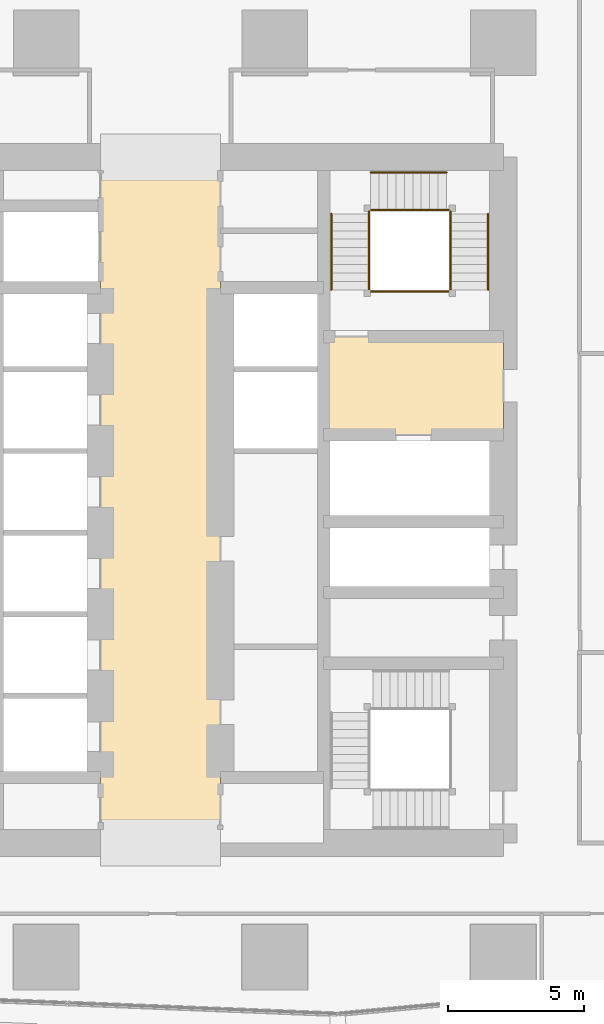
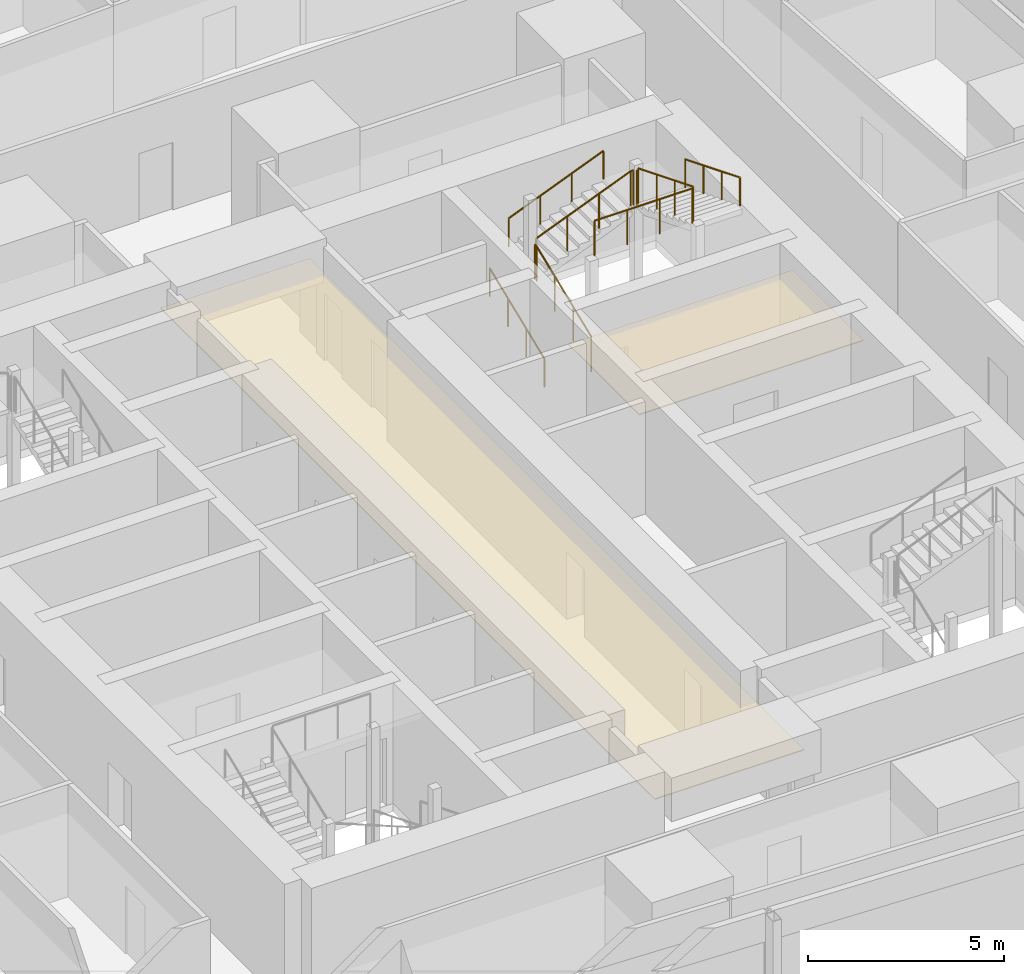
# One storey, part 36 of 37: 10 railings, 2 coverings.
"""IFC4 building model written with IfcOpenShell, lengths in metres."""

from ifc_helpers import new_model, si_unit, direction, frame, origin, origin_2d, place, context, subcontext, project, spatial, polyline, circle, outline, extrude, material, layer, layer_set, type_object, element, save


model = new_model("IFC4")

# Units and contexts
model_context = context("Model", 3, precision=1e-05, world=origin(), true_north=direction((0.0, 1.0)))
body_context = subcontext(model_context, "Body", "Model", "MODEL_VIEW")
ifc_project = project(units=[si_unit("LENGTHUNIT", "METRE"), si_unit("AREAUNIT", "SQUARE_METRE"), si_unit("VOLUMEUNIT", "CUBIC_METRE"), si_unit("PLANEANGLEUNIT", "RADIAN"), si_unit("MASSUNIT", "GRAM", prefix="KILO")], contexts=[model_context])

# Site, building, storey
site_placement = place(None, origin())
site = spatial("IfcSite", under=ifc_project, at=site_placement, CompositionType="ELEMENT")
building_placement = place(site_placement, origin())
building = spatial("IfcBuilding", under=site, at=building_placement, Name="Rekha Terrace Tower", CompositionType="ELEMENT")
storey_placement = place(building_placement, frame((0.0, 0.0, 232.699951171875)))
storey = spatial("IfcBuildingStorey", under=building, at=storey_placement, Name="L59", CompositionType="ELEMENT", Elevation=232.699951171875)

# Coverings
ifc_material_1 = material(Name="Powder-coated aluminium pan", Category="aluminium")
ifc_layer = layer(ifc_material_1, 0.030029296875)
ifc_layer_set = layer_set([ifc_layer], Name="Powder-coated aluminium pan")
covering_type = type_object("IfcCoveringType", Name="CL3 300x1200 metal pan ceiling", PredefinedType="CEILING", material=ifc_layer_set)
covering_1_placement = place(storey_placement, frame((0.0, 0.0, 2.570068359375)))
element("IfcCovering", 1, at=covering_1_placement, inside=storey, type_object=covering_type, Name="Ceiling L59-LOBBY", PredefinedType="CEILING", context=body_context, shape_type="SweptSolid", body=[
    extrude(outline(polyline([(40.0, 46.199951171875), (35.60009765625, 46.199951171875), (35.60009765625, 21.0), (40.0, 21.0), (40.0, 46.199951171875)])), origin(), (0.0, 0.0, 1.0), 0.030029296875),
])
covering_2_placement = place(storey_placement, frame((0.0, 0.0, 2.570068359375)))
element("IfcCovering", 2, at=covering_2_placement, inside=storey, type_object=covering_type, Name="Ceiling L59-FLB2", PredefinedType="CEILING", context=body_context, shape_type="SweptSolid", body=[
    extrude(outline(polyline([(50.39990234375, 39.60009765625), (43.800048828125, 39.60009765625), (43.800048828125, 36.0), (50.39990234375, 36.0), (50.39990234375, 39.60009765625)])), origin(), (0.0, 0.0, 1.0), 0.030029296875),
])

# Railings
ifc_material_2 = material(Name="Stainless steel balustrade", Category="steel")
railing_type_1 = type_object("IfcRailingType", Name="GR1 1100 stair guard", PredefinedType="GUARDRAIL", material=ifc_material_2)
railing_1_placement = place(storey_placement, frame((45.465087890625, 41.324951171875, 0.125)))
element("IfcRailing", 3, at=railing_1_placement, inside=storey, type_object=railing_type_1, Name="Guard ST2 L59 flight 1", PredefinedType="GUARDRAIL", context=body_context, shape_type="SweptSolid", body=[
    extrude(circle(Radius=0.02392578125, at=origin_2d()), frame((0.0, 0.0, 1.076171875), z_axis=(0.0, 0.927443287984, 0.373963831907), x_axis=(-1.0, 0.0, 0.0)), (0.0, 0.0, 1.0), 3.00830078125),
    extrude(circle(Radius=0.02099609375, at=origin_2d()), origin(), (0.0, 0.0, 1.0), 1.052001953125),
    extrude(circle(Radius=0.02099609375, at=origin_2d()), frame((0.0, 0.929931640625, 0.375)), (0.0, 0.0, 1.0), 1.052001953125),
    extrude(circle(Radius=0.02099609375, at=origin_2d()), frame((0.0, 1.860107421875, 0.75)), (0.0, 0.0, 1.0), 1.052001953125),
    extrude(circle(Radius=0.02099609375, at=origin_2d()), frame((0.0, 2.7900390625, 1.125)), (0.0, 0.0, 1.0), 1.052001953125),
])
railing_2_placement = place(storey_placement, frame((45.52490234375, 44.260009765625, 1.375)))
element("IfcRailing", 4, at=railing_2_placement, inside=storey, type_object=railing_type_1, Name="Guard ST2 L59 flight 2", PredefinedType="GUARDRAIL", context=body_context, shape_type="SweptSolid", body=[
    extrude(circle(Radius=0.02392578125, at=origin_2d()), frame((0.0, 0.0, 1.076171875), z_axis=(0.927443287984, 0.0, 0.373963831907), x_axis=(0.0, 1.0, 0.0)), (0.0, 0.0, 1.0), 3.00830078125),
    extrude(circle(Radius=0.02099609375, at=origin_2d()), origin(), (0.0, 0.0, 1.0), 1.052001953125),
    extrude(circle(Radius=0.02099609375, at=origin_2d()), frame((0.929931640625, 0.0, 0.375)), (0.0, 0.0, 1.0), 1.052001953125),
    extrude(circle(Radius=0.02099609375, at=origin_2d()), frame((1.860107421875, 0.0, 0.75)), (0.0, 0.0, 1.0), 1.052001953125),
    extrude(circle(Radius=0.02099609375, at=origin_2d()), frame((2.7900390625, 0.0, 1.125)), (0.0, 0.0, 1.0), 1.052001953125),
])
railing_3_placement = place(storey_placement, frame((48.4599609375, 44.114990234375, 2.625)))
element("IfcRailing", 5, at=railing_3_placement, inside=storey, type_object=railing_type_1, Name="Guard ST2 L59 flight 3", PredefinedType="GUARDRAIL", context=body_context, shape_type="SweptSolid", body=[
    extrude(circle(Radius=0.02392578125, at=origin_2d()), frame((0.0, 0.0, 1.076171875), z_axis=(0.0, -0.927443287984, 0.373963831907), x_axis=(1.0, 0.0, 0.0)), (0.0, 0.0, 1.0), 3.00830078125),
    extrude(circle(Radius=0.02099609375, at=origin_2d()), origin(), (0.0, 0.0, 1.0), 1.052001953125),
    extrude(circle(Radius=0.02099609375, at=origin_2d()), frame((0.0, -0.929931640625, 0.375)), (0.0, 0.0, 1.0), 1.052001953125),
    extrude(circle(Radius=0.02099609375, at=origin_2d()), frame((0.0, -1.860107421875, 0.75)), (0.0, 0.0, 1.0), 1.052001953125),
    extrude(circle(Radius=0.02099609375, at=origin_2d()), frame((0.0, -2.7900390625, 1.125)), (0.0, 0.0, 1.0), 1.052001953125),
])
railing_4_placement = place(storey_placement, frame((45.465087890625, 44.114990234375, 1.25)))
element("IfcRailing", 6, at=railing_4_placement, inside=storey, type_object=railing_type_1, Name="Guard ST2 L59 landing 1", PredefinedType="GUARDRAIL", context=body_context, shape_type="SweptSolid", body=[
    extrude(circle(Radius=0.02392578125, at=origin_2d()), frame((0.0, 0.0, 1.076171875), z_axis=(0.0, 1.0, 0.0), x_axis=(-1.0, 0.0, 0.0)), (0.0, 0.0, 1.0), 0.0849609375),
    extrude(circle(Radius=0.02099609375, at=origin_2d()), origin(), (0.0, 0.0, 1.0), 1.052001953125),
    extrude(circle(Radius=0.02099609375, at=origin_2d()), frame((0.0, 0.0849609375, 0.0)), (0.0, 0.0, 1.0), 1.052001953125),
])
railing_5_placement = place(storey_placement, frame((48.31494140625, 44.260009765625, 2.5)))
element("IfcRailing", 7, at=railing_5_placement, inside=storey, type_object=railing_type_1, Name="Guard ST2 L59 landing 2", PredefinedType="GUARDRAIL", context=body_context, shape_type="SweptSolid", body=[
    extrude(circle(Radius=0.02392578125, at=origin_2d()), frame((0.0, 0.0, 1.076171875), z_axis=(1.0, 0.0, 0.0), x_axis=(0.0, 1.0, 0.0)), (0.0, 0.0, 1.0), 0.0849609375),
    extrude(circle(Radius=0.02099609375, at=origin_2d()), origin(), (0.0, 0.0, 1.0), 1.052001953125),
    extrude(circle(Radius=0.02099609375, at=origin_2d()), frame((0.0849609375, 0.0, 0.0)), (0.0, 0.0, 1.0), 1.052001953125),
])
railing_6_placement = place(storey_placement, frame((48.4599609375, 44.114990234375, 2.5)))
element("IfcRailing", 8, at=railing_6_placement, inside=storey, type_object=railing_type_1, Name="Guard ST2 L59 landing 3", PredefinedType="GUARDRAIL", context=body_context, shape_type="SweptSolid", body=[
    extrude(circle(Radius=0.02392578125, at=origin_2d()), frame((0.0, 0.0, 1.076171875), z_axis=(0.0, 1.0, 0.0), x_axis=(-1.0, 0.0, 0.0)), (0.0, 0.0, 1.0), 0.0849609375),
    extrude(circle(Radius=0.02099609375, at=origin_2d()), origin(), (0.0, 0.0, 1.0), 1.052001953125),
    extrude(circle(Radius=0.02099609375, at=origin_2d()), frame((0.0, 0.0849609375, 0.0)), (0.0, 0.0, 1.0), 1.052001953125),
])
railing_7_placement = place(storey_placement, frame((45.52490234375, 41.264892578125, 3.75)))
element("IfcRailing", 9, at=railing_7_placement, inside=storey, type_object=railing_type_1, Name="Guard ST2 L59 landing 4", PredefinedType="GUARDRAIL", context=body_context, shape_type="SweptSolid", body=[
    extrude(circle(Radius=0.02392578125, at=origin_2d()), frame((0.0, 0.0, 1.076171875), z_axis=(1.0, 0.0, 0.0), x_axis=(0.0, 1.0, 0.0)), (0.0, 0.0, 1.0), 2.875),
    extrude(circle(Radius=0.02099609375, at=origin_2d()), origin(), (0.0, 0.0, 1.0), 1.052001953125),
    extrude(circle(Radius=0.02099609375, at=origin_2d()), frame((0.958251953125, 0.0, 0.0)), (0.0, 0.0, 1.0), 1.052001953125),
    extrude(circle(Radius=0.02099609375, at=origin_2d()), frame((1.916748046875, 0.0, 0.0)), (0.0, 0.0, 1.0), 1.052001953125),
    extrude(circle(Radius=0.02099609375, at=origin_2d()), frame((2.875, 0.0, 0.0)), (0.0, 0.0, 1.0), 1.052001953125),
])
ifc_material_3 = material(Name="Stainless steel tube", Category="steel")
railing_type_2 = type_object("IfcRailingType", Name="HR1 900 stair handrail", PredefinedType="HANDRAIL", material=ifc_material_3)
railing_8_placement = place(storey_placement, frame((44.0849609375, 41.324951171875, 0.125)))
element("IfcRailing", 10, at=railing_8_placement, inside=storey, type_object=railing_type_2, Name="Handrail ST2 L59 flight 1", PredefinedType="HANDRAIL", context=body_context, shape_type="SweptSolid", body=[
    extrude(circle(Radius=0.02392578125, at=origin_2d()), frame((0.0, 0.0, 0.8759765625), z_axis=(0.0, 0.927443287984, 0.373963831907), x_axis=(-1.0, 0.0, 0.0)), (0.0, 0.0, 1.0), 3.00830078125),
    extrude(circle(Radius=0.02099609375, at=origin_2d()), origin(), (0.0, 0.0, 1.0), 0.851806640625),
    extrude(circle(Radius=0.02099609375, at=origin_2d()), frame((0.0, 0.929931640625, 0.375)), (0.0, 0.0, 1.0), 0.851806640625),
    extrude(circle(Radius=0.02099609375, at=origin_2d()), frame((0.0, 1.860107421875, 0.75)), (0.0, 0.0, 1.0), 0.851806640625),
    extrude(circle(Radius=0.02099609375, at=origin_2d()), frame((0.0, 2.7900390625, 1.125)), (0.0, 0.0, 1.0), 0.851806640625),
])
railing_9_placement = place(storey_placement, frame((45.52490234375, 45.639892578125, 1.375)))
element("IfcRailing", 11, at=railing_9_placement, inside=storey, type_object=railing_type_2, Name="Handrail ST2 L59 flight 2", PredefinedType="HANDRAIL", context=body_context, shape_type="SweptSolid", body=[
    extrude(circle(Radius=0.02392578125, at=origin_2d()), frame((0.0, 0.0, 0.8759765625), z_axis=(0.927443287984, 0.0, 0.373963831907), x_axis=(0.0, 1.0, 0.0)), (0.0, 0.0, 1.0), 3.00830078125),
    extrude(circle(Radius=0.02099609375, at=origin_2d()), origin(), (0.0, 0.0, 1.0), 0.851806640625),
    extrude(circle(Radius=0.02099609375, at=origin_2d()), frame((0.929931640625, 0.0, 0.375)), (0.0, 0.0, 1.0), 0.851806640625),
    extrude(circle(Radius=0.02099609375, at=origin_2d()), frame((1.860107421875, 0.0, 0.75)), (0.0, 0.0, 1.0), 0.851806640625),
    extrude(circle(Radius=0.02099609375, at=origin_2d()), frame((2.7900390625, 0.0, 1.125)), (0.0, 0.0, 1.0), 0.851806640625),
])
railing_10_placement = place(storey_placement, frame((49.840087890625, 44.114990234375, 2.625)))
element("IfcRailing", 12, at=railing_10_placement, inside=storey, type_object=railing_type_2, Name="Handrail ST2 L59 flight 3", PredefinedType="HANDRAIL", context=body_context, shape_type="SweptSolid", body=[
    extrude(circle(Radius=0.02392578125, at=origin_2d()), frame((0.0, 0.0, 0.8759765625), z_axis=(0.0, -0.927443287984, 0.373963831907), x_axis=(1.0, 0.0, 0.0)), (0.0, 0.0, 1.0), 3.00830078125),
    extrude(circle(Radius=0.02099609375, at=origin_2d()), origin(), (0.0, 0.0, 1.0), 0.851806640625),
    extrude(circle(Radius=0.02099609375, at=origin_2d()), frame((0.0, -0.929931640625, 0.375)), (0.0, 0.0, 1.0), 0.851806640625),
    extrude(circle(Radius=0.02099609375, at=origin_2d()), frame((0.0, -1.860107421875, 0.75)), (0.0, 0.0, 1.0), 0.851806640625),
    extrude(circle(Radius=0.02099609375, at=origin_2d()), frame((0.0, -2.7900390625, 1.125)), (0.0, 0.0, 1.0), 0.851806640625),
])

save(model, "model.ifc")
